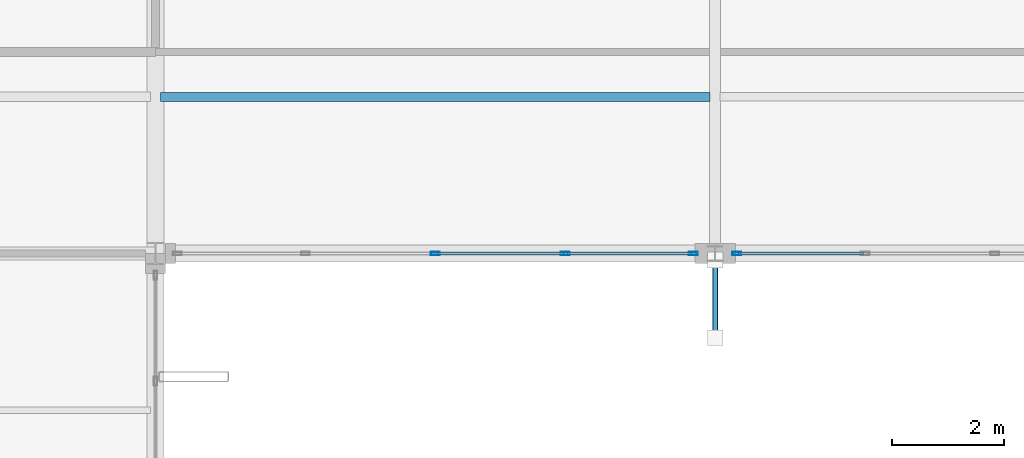
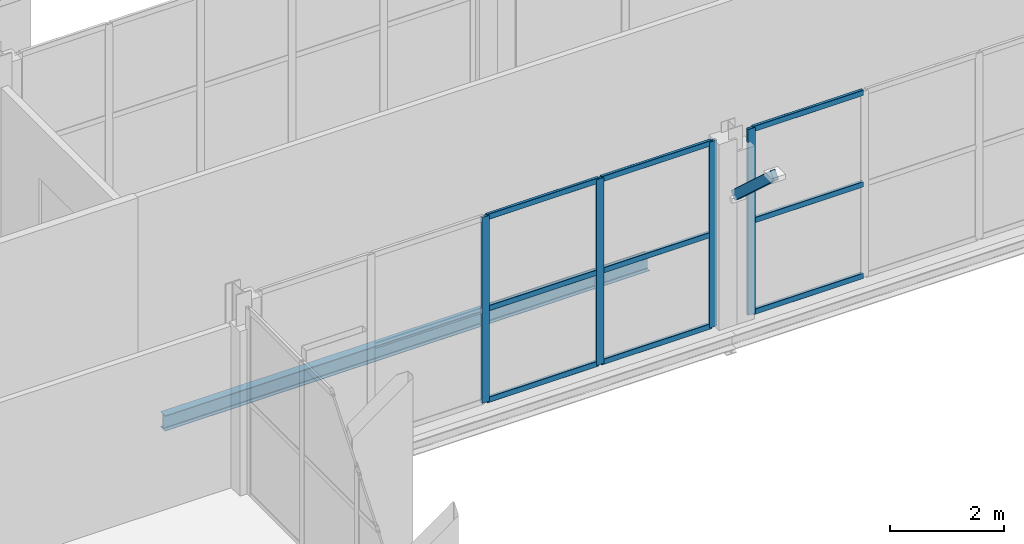
# One storey, part 39 of 101: 14 members, 1 beam, 2 elements without a shape of their own.
"""IFC4 building model written with IfcOpenShell, lengths in metres."""

from ifc_helpers import new_model, si_unit, direction, frame, origin, origin_2d, place, context, subcontext, project, spatial, hollow_rectangle, i_section, extrude, material, layer, layer_set, material_profile, profile_set, type_object, element, aggregate, save


model = new_model("IFC4")

# Units and contexts
model_context = context("Model", 3, precision=1e-05, world=origin(), true_north=direction((0.0, 1.0)))
body_context = subcontext(model_context, "Body", "Model", "MODEL_VIEW")
ifc_project = project(units=[si_unit("LENGTHUNIT", "METRE"), si_unit("AREAUNIT", "SQUARE_METRE"), si_unit("VOLUMEUNIT", "CUBIC_METRE"), si_unit("PLANEANGLEUNIT", "RADIAN"), si_unit("MASSUNIT", "GRAM", prefix="KILO")], contexts=[model_context])

# Site, building, storey
site_placement = place(None, origin())
site = spatial("IfcSite", under=ifc_project, at=site_placement, CompositionType="ELEMENT")
building_placement = place(site_placement, origin())
building = spatial("IfcBuilding", under=site, at=building_placement, Name="Vekula Escarpment Museum", CompositionType="ELEMENT")
storey_placement = place(building_placement, frame((0.0, 0.0, 18.0)))
storey = spatial("IfcBuildingStorey", under=building, at=storey_placement, Name="L04", CompositionType="ELEMENT", Elevation=18.0)

# Beam
ifc_material_1 = material(Name="Steel S355", Category="steel")
ifc_material_profile_1 = material_profile(ifc_material_1, i_section(OverallWidth=0.159912109375, OverallDepth=0.330078125, WebThickness=0.007568359375, FlangeThickness=0.011474609375, FilletRadius=0.01806640625, at=origin_2d()), Name="IPE 330")
ifc_profile_set_1 = profile_set([ifc_material_profile_1], Name="Steel S355")
beam_type = type_object("IfcBeamType", Name="BM-JST-IPE330", PredefinedType="JOIST", material=ifc_profile_set_1)
beam_placement = place(storey_placement, frame((126.090087890625, 70.800048828125, -0.405029296875), z_axis=(1.0, 0.0, 0.0), x_axis=(0.0, 1.0, 0.0)))
element("IfcBeam", 1, at=beam_placement, inside=storey, type_object=beam_type, Name="Secondary Joist L04 1238", PredefinedType="JOIST", context=body_context, shape_type="SweptSolid", body=[
    extrude(i_section(OverallWidth=0.159912109375, OverallDepth=0.330078125, WebThickness=0.007568359375, FlangeThickness=0.011474609375, FilletRadius=0.01806640625, at=origin_2d()), origin(), (0.0, 0.0, 1.0), 9.81982421875),
])

# Curtain wall, members
ifc_material_2 = material(Name="Aluminium thermally broken framing", Category="aluminium")
ifc_layer_1 = layer(ifc_material_2, 0.159912109375)
ifc_layer_set_1 = layer_set([ifc_layer_1], Name="Aluminium thermally broken framing")
curtain_wall_type_1 = type_object("IfcCurtainWallType", Name="CW-SYS-02", PredefinedType="NOTDEFINED", material=ifc_layer_set_1)
curtain_wall_1_placement = place(storey_placement, origin())
curtain_wall_1 = element("IfcCurtainWall", 2, at=curtain_wall_1_placement, inside=storey, type_object=curtain_wall_type_1, Name="Curtain Wall CW-L04-142", PredefinedType="NOTDEFINED")
ifc_material_3 = material(Name="Aluminium anodized mullion", Category="aluminium")
ifc_material_profile_2 = material_profile(ifc_material_3, hollow_rectangle(XDim=0.06005859375, YDim=0.159912109375, WallThickness=0.00390625, InnerFilletRadius=0.00390625, OuterFilletRadius=0.008056640625, at=origin_2d()), Name="ALU 160x60x4")
ifc_profile_set_2 = profile_set([ifc_material_profile_2], Name="Aluminium anodized mullion")
member_type_1 = type_object("IfcMemberType", Name="CW-MUL-160", PredefinedType="MULLION", material=ifc_profile_set_2)
member_1_placement = place(storey_placement, frame((131.0, 68.0, 0.0), z_axis=(0.0, 0.0, 1.0), x_axis=(0.0, 1.0, 0.0)))
member_1 = element("IfcMember", 3, at=member_1_placement, type_object=member_type_1, Name="CW-02 mullion 3", PredefinedType="MULLION", context=body_context, shape_type="SweptSolid", body=[
    extrude(hollow_rectangle(XDim=0.06005859375, YDim=0.159912109375, WallThickness=0.00390625, InnerFilletRadius=0.00390625, OuterFilletRadius=0.008056640625, at=origin_2d()), origin(), (0.0, 0.0, 1.0), 3.97998046875),
])
member_2_placement = place(storey_placement, frame((133.320068359375, 68.0, 0.0), z_axis=(0.0, 0.0, 1.0), x_axis=(0.0, 1.0, 0.0)))
member_2 = element("IfcMember", 4, at=member_2_placement, type_object=member_type_1, Name="CW-02 mullion 4", PredefinedType="MULLION", context=body_context, shape_type="SweptSolid", body=[
    extrude(hollow_rectangle(XDim=0.06005859375, YDim=0.159912109375, WallThickness=0.00390625, InnerFilletRadius=0.00390625, OuterFilletRadius=0.008056640625, at=origin_2d()), origin(), (0.0, 0.0, 1.0), 3.97998046875),
])
member_3_placement = place(storey_placement, frame((135.610107421875, 68.0, 0.0), z_axis=(0.0, 0.0, 1.0), x_axis=(0.0, 1.0, 0.0)))
member_3 = element("IfcMember", 5, at=member_3_placement, type_object=member_type_1, Name="CW-02 mullion 5", PredefinedType="MULLION", context=body_context, shape_type="SweptSolid", body=[
    extrude(hollow_rectangle(XDim=0.06005859375, YDim=0.159912109375, WallThickness=0.00390625, InnerFilletRadius=0.00390625, OuterFilletRadius=0.008056640625, at=origin_2d()), origin(), (0.0, 0.0, 1.0), 3.97998046875),
])

# Curtain wall, member
ifc_material_4 = material(Name="Aluminium thermally broken framing", Category="aluminium")
ifc_layer_2 = layer(ifc_material_4, 0.199951171875)
ifc_layer_set_2 = layer_set([ifc_layer_2], Name="Aluminium thermally broken framing")
curtain_wall_type_2 = type_object("IfcCurtainWallType", Name="CW-SYS-03", PredefinedType="NOTDEFINED", material=ifc_layer_set_2)
curtain_wall_2_placement = place(storey_placement, origin())
curtain_wall_2 = element("IfcCurtainWall", 6, at=curtain_wall_2_placement, inside=storey, type_object=curtain_wall_type_2, Name="Curtain Wall CW-L04-143", PredefinedType="NOTDEFINED")
member_4_placement = place(storey_placement, frame((136.389892578125, 68.0, 0.0), z_axis=(0.0, 0.0, 1.0), x_axis=(0.0, 1.0, 0.0)))
member_4 = element("IfcMember", 7, at=member_4_placement, type_object=member_type_1, Name="CW-03 mullion 1", PredefinedType="MULLION", context=body_context, shape_type="SweptSolid", body=[
    extrude(hollow_rectangle(XDim=0.06005859375, YDim=0.159912109375, WallThickness=0.00390625, InnerFilletRadius=0.00390625, OuterFilletRadius=0.008056640625, at=origin_2d()), origin(), (0.0, 0.0, 1.0), 3.97998046875),
])

# Member
ifc_material_5 = material(Name="Aluminium anodized transom", Category="aluminium")
ifc_material_profile_3 = material_profile(ifc_material_5, hollow_rectangle(XDim=0.06005859375, YDim=0.1201171875, WallThickness=0.00390625, InnerFilletRadius=0.00390625, OuterFilletRadius=0.008056640625, at=origin_2d()), Name="ALU 120x60x4")
ifc_profile_set_3 = profile_set([ifc_material_profile_3], Name="Aluminium anodized transom")
member_type_2 = type_object("IfcMemberType", Name="CW-TRN-120", PredefinedType="USERDEFINED", material=ifc_profile_set_3)
member_5_placement = place(storey_placement, frame((131.030029296875, 68.0, 0.030029296875), z_axis=(1.0, 0.0, 0.0), x_axis=(0.0, 1.0, 0.0)))
member_5 = element("IfcMember", 8, at=member_5_placement, type_object=member_type_2, Name="CW-02 transom 3.1", ObjectType="TRANSOM", PredefinedType="USERDEFINED", context=body_context, shape_type="SweptSolid", body=[
    extrude(hollow_rectangle(XDim=0.06005859375, YDim=0.1201171875, WallThickness=0.00390625, InnerFilletRadius=0.00390625, OuterFilletRadius=0.008056640625, at=origin_2d()), origin(), (0.0, 0.0, 1.0), 2.260009765625),
])

member_6_placement = place(storey_placement, frame((131.030029296875, 68.0, 1.989990234375), z_axis=(1.0, 0.0, 0.0), x_axis=(0.0, 1.0, 0.0)))
member_6 = element("IfcMember", 9, at=member_6_placement, type_object=member_type_2, Name="CW-02 transom 3.2", ObjectType="TRANSOM", PredefinedType="USERDEFINED", context=body_context, shape_type="SweptSolid", body=[
    extrude(hollow_rectangle(XDim=0.06005859375, YDim=0.1201171875, WallThickness=0.00390625, InnerFilletRadius=0.00390625, OuterFilletRadius=0.008056640625, at=origin_2d()), origin(), (0.0, 0.0, 1.0), 2.260009765625),
])

member_7_placement = place(storey_placement, frame((131.030029296875, 68.0, 3.949951171875), z_axis=(1.0, 0.0, 0.0), x_axis=(0.0, 1.0, 0.0)))
member_7 = element("IfcMember", 10, at=member_7_placement, type_object=member_type_2, Name="CW-02 transom 3.3", ObjectType="TRANSOM", PredefinedType="USERDEFINED", context=body_context, shape_type="SweptSolid", body=[
    extrude(hollow_rectangle(XDim=0.06005859375, YDim=0.1201171875, WallThickness=0.00390625, InnerFilletRadius=0.00390625, OuterFilletRadius=0.008056640625, at=origin_2d()), origin(), (0.0, 0.0, 1.0), 2.260009765625),
])

member_8_placement = place(storey_placement, frame((133.35009765625, 68.0, 0.030029296875), z_axis=(1.0, 0.0, 0.0), x_axis=(0.0, 1.0, 0.0)))
member_8 = element("IfcMember", 11, at=member_8_placement, type_object=member_type_2, Name="CW-02 transom 4.1", ObjectType="TRANSOM", PredefinedType="USERDEFINED", context=body_context, shape_type="SweptSolid", body=[
    extrude(hollow_rectangle(XDim=0.06005859375, YDim=0.1201171875, WallThickness=0.00390625, InnerFilletRadius=0.00390625, OuterFilletRadius=0.008056640625, at=origin_2d()), origin(), (0.0, 0.0, 1.0), 2.22998046875),
])

member_9_placement = place(storey_placement, frame((133.35009765625, 68.0, 1.989990234375), z_axis=(1.0, 0.0, 0.0), x_axis=(0.0, 1.0, 0.0)))
member_9 = element("IfcMember", 12, at=member_9_placement, type_object=member_type_2, Name="CW-02 transom 4.2", ObjectType="TRANSOM", PredefinedType="USERDEFINED", context=body_context, shape_type="SweptSolid", body=[
    extrude(hollow_rectangle(XDim=0.06005859375, YDim=0.1201171875, WallThickness=0.00390625, InnerFilletRadius=0.00390625, OuterFilletRadius=0.008056640625, at=origin_2d()), origin(), (0.0, 0.0, 1.0), 2.22998046875),
])

member_10_placement = place(storey_placement, frame((133.35009765625, 68.0, 3.949951171875), z_axis=(1.0, 0.0, 0.0), x_axis=(0.0, 1.0, 0.0)))
member_10 = element("IfcMember", 13, at=member_10_placement, type_object=member_type_2, Name="CW-02 transom 4.3", ObjectType="TRANSOM", PredefinedType="USERDEFINED", context=body_context, shape_type="SweptSolid", body=[
    extrude(hollow_rectangle(XDim=0.06005859375, YDim=0.1201171875, WallThickness=0.00390625, InnerFilletRadius=0.00390625, OuterFilletRadius=0.008056640625, at=origin_2d()), origin(), (0.0, 0.0, 1.0), 2.22998046875),
])

aggregate(curtain_wall_1, [member_1, member_2, member_3, member_5, member_6, member_7, member_8, member_9, member_10])

member_11_placement = place(storey_placement, frame((136.419921875, 68.0, 0.030029296875), z_axis=(1.0, 0.0, 0.0), x_axis=(0.0, 1.0, 0.0)))
member_11 = element("IfcMember", 14, at=member_11_placement, type_object=member_type_2, Name="CW-03 transom 1.1", ObjectType="TRANSOM", PredefinedType="USERDEFINED", context=body_context, shape_type="SweptSolid", body=[
    extrude(hollow_rectangle(XDim=0.06005859375, YDim=0.1201171875, WallThickness=0.00390625, InnerFilletRadius=0.00390625, OuterFilletRadius=0.008056640625, at=origin_2d()), origin(), (0.0, 0.0, 1.0), 2.22998046875),
])

member_12_placement = place(storey_placement, frame((136.419921875, 68.0, 1.989990234375), z_axis=(1.0, 0.0, 0.0), x_axis=(0.0, 1.0, 0.0)))
member_12 = element("IfcMember", 15, at=member_12_placement, type_object=member_type_2, Name="CW-03 transom 1.2", ObjectType="TRANSOM", PredefinedType="USERDEFINED", context=body_context, shape_type="SweptSolid", body=[
    extrude(hollow_rectangle(XDim=0.06005859375, YDim=0.1201171875, WallThickness=0.00390625, InnerFilletRadius=0.00390625, OuterFilletRadius=0.008056640625, at=origin_2d()), origin(), (0.0, 0.0, 1.0), 2.22998046875),
])

member_13_placement = place(storey_placement, frame((136.419921875, 68.0, 3.949951171875), z_axis=(1.0, 0.0, 0.0), x_axis=(0.0, 1.0, 0.0)))
member_13 = element("IfcMember", 16, at=member_13_placement, type_object=member_type_2, Name="CW-03 transom 1.3", ObjectType="TRANSOM", PredefinedType="USERDEFINED", context=body_context, shape_type="SweptSolid", body=[
    extrude(hollow_rectangle(XDim=0.06005859375, YDim=0.1201171875, WallThickness=0.00390625, InnerFilletRadius=0.00390625, OuterFilletRadius=0.008056640625, at=origin_2d()), origin(), (0.0, 0.0, 1.0), 2.22998046875),
])

aggregate(curtain_wall_2, [member_4, member_11, member_12, member_13])

ifc_material_6 = material(Name="Steel S355", Category="steel")
ifc_material_profile_4 = material_profile(ifc_material_6, hollow_rectangle(XDim=0.10009765625, YDim=0.199951171875, WallThickness=0.008056640625, InnerFilletRadius=0.008056640625, OuterFilletRadius=0.01611328125, at=origin_2d()), Name="RHS 200x100x8")
ifc_profile_set_4 = profile_set([ifc_material_profile_4], Name="Steel S355")
member_type_3 = type_object("IfcMemberType", Name="MB-SACAK-BRK", PredefinedType="STRUT", material=ifc_profile_set_4)
member_14_placement = place(storey_placement, frame((136.0, 67.8798828125, 2.75), z_axis=(0.0, -0.738454378718, 0.674303441006), x_axis=(1.0, 0.0, 0.0)))
element("IfcMember", 17, at=member_14_placement, inside=storey, type_object=member_type_3, Name="Ottoman Sacak Eave Bracket L05-0123", PredefinedType="STRUT", context=body_context, shape_type="SweptSolid", body=[
    extrude(hollow_rectangle(XDim=0.10009765625, YDim=0.199951171875, WallThickness=0.008056640625, InnerFilletRadius=0.008056640625, OuterFilletRadius=0.01611328125, at=origin_2d()), origin(), (0.0, 0.0, 1.0), 1.86865234375),
])

save(model, "model.ifc")
